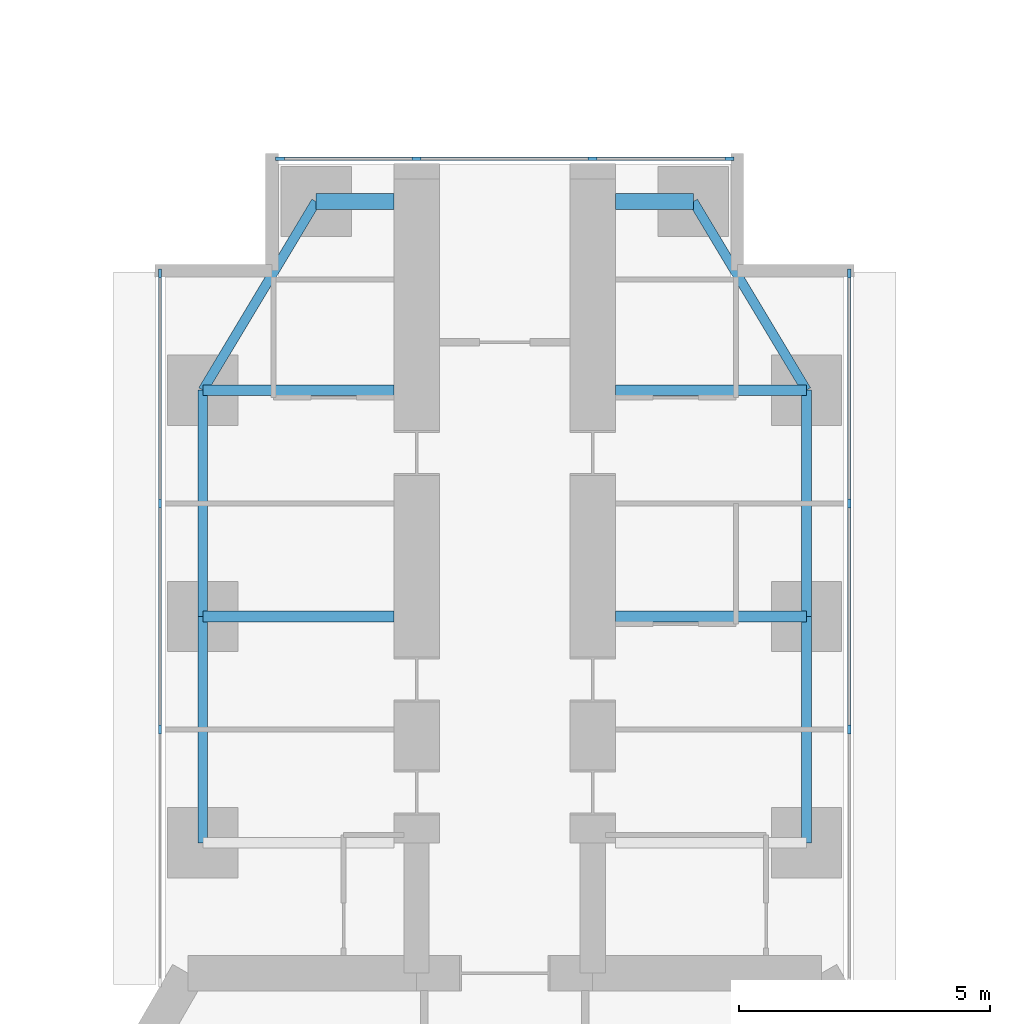
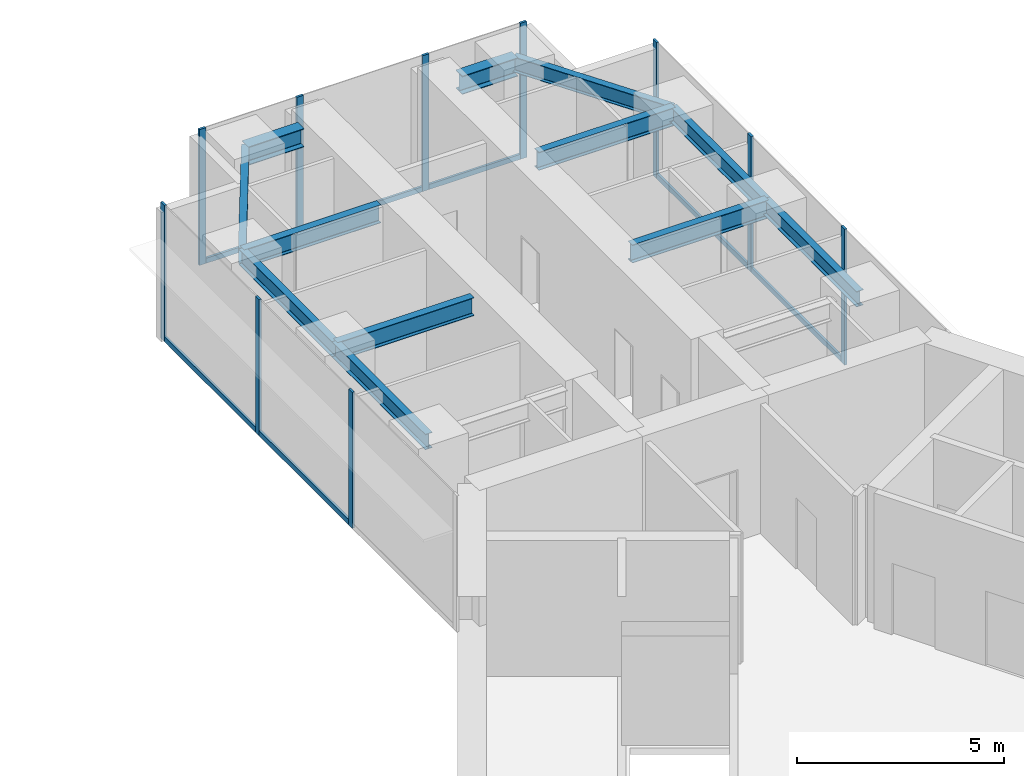
# One storey, part 13 of 25: 17 members, 12 beams, 3 elements without a shape of their own.
"""IFC4 building model written with IfcOpenShell, lengths in metres."""

from ifc_helpers import new_model, si_unit, direction, frame, origin, origin_2d, place, context, subcontext, project, spatial, rectangle, i_section, extrude, material, material_profile, profile_set, type_object, element, aggregate, save


model = new_model("IFC4")

# Units and contexts
model_context = context("Model", 3, precision=1e-05, world=origin(), true_north=direction((0.0, 1.0)))
body_context = subcontext(model_context, "Body", "Model", "MODEL_VIEW")
ifc_project = project(units=[si_unit("LENGTHUNIT", "METRE"), si_unit("AREAUNIT", "SQUARE_METRE"), si_unit("VOLUMEUNIT", "CUBIC_METRE"), si_unit("PLANEANGLEUNIT", "RADIAN"), si_unit("MASSUNIT", "GRAM", prefix="KILO")], contexts=[model_context])

# Site, building, storey
site_placement = place(None, origin())
site = spatial("IfcSite", under=ifc_project, at=site_placement, CompositionType="ELEMENT")
building_placement = place(site_placement, origin())
building = spatial("IfcBuilding", under=site, at=building_placement, Name="Upepo Twin Towers", CompositionType="ELEMENT")
storey_placement = place(building_placement, frame((0.0, 0.0, 80.5)))
storey = spatial("IfcBuildingStorey", under=building, at=storey_placement, Name="L19", CompositionType="ELEMENT", Elevation=80.5)

# Beams
ifc_material_1 = material(Name="Steel S355", Category="steel")
ifc_material_profile_1 = material_profile(ifc_material_1, i_section(OverallWidth=0.1904296875, OverallDepth=0.45703125, WebThickness=0.009033203125, FlangeThickness=0.014404296875, FilletRadius=0.01025390625, at=origin_2d()), Name="UB 457x191x74")
ifc_profile_set_1 = profile_set([ifc_material_profile_1], Name="Steel S355")
beam_type_1 = type_object("IfcBeamType", Name="Beam UB 457x191x74", PredefinedType="BEAM", material=ifc_profile_set_1)
for number, where, z_axis, x_axis, name in (
    (1, (52.5, -4.5, 3.571533203125), (0.0, 1.0, 0.0), (-1.0, 0.0, 0.0), "T2 edge beam AL 13.5-18.0"),
    (2, (52.5, 0.0, 3.571533203125), (0.0, 1.0, 0.0), (-1.0, 0.0, 0.0), "T2 edge beam AL 18.0-22.5"),
):
    element("IfcBeam", number, at=place(storey_placement, frame(where, z_axis=z_axis, x_axis=x_axis)), inside=storey, type_object=beam_type_1, Name=name, PredefinedType="BEAM", context=body_context, shape_type="SweptSolid", body=[
        extrude(i_section(OverallWidth=0.1904296875, OverallDepth=0.45703125, WebThickness=0.009033203125, FlangeThickness=0.014404296875, FilletRadius=0.01025390625, at=origin_2d()), origin(), (0.0, 0.0, 1.0), 4.5),
    ])
beam_1_placement = place(storey_placement, frame((52.5, 4.5, 3.571533203125), z_axis=(0.514495755428, 0.857492925713, 0.0), x_axis=(-0.857492925713, 0.514495755428, 0.0)))
element("IfcBeam", 3, at=beam_1_placement, inside=storey, type_object=beam_type_1, Name="T2 nose edge beam AL", PredefinedType="BEAM", context=body_context, shape_type="SweptSolid", body=[
    extrude(i_section(OverallWidth=0.1904296875, OverallDepth=0.45703125, WebThickness=0.009033203125, FlangeThickness=0.014404296875, FilletRadius=0.01025390625, at=origin_2d()), origin(), (0.0, 0.0, 1.0), 4.373291015625),
])
for number, where, z_axis, x_axis, name in (
    (4, (64.5, -4.5, 3.571533203125), (0.0, 1.0, 0.0), (-1.0, 0.0, 0.0), "T2 edge beam AR 13.5-18.0"),
    (5, (64.5, 0.0, 3.571533203125), (0.0, 1.0, 0.0), (-1.0, 0.0, 0.0), "T2 edge beam AR 18.0-22.5"),
):
    element("IfcBeam", number, at=place(storey_placement, frame(where, z_axis=z_axis, x_axis=x_axis)), inside=storey, type_object=beam_type_1, Name=name, PredefinedType="BEAM", context=body_context, shape_type="SweptSolid", body=[
        extrude(i_section(OverallWidth=0.1904296875, OverallDepth=0.45703125, WebThickness=0.009033203125, FlangeThickness=0.014404296875, FilletRadius=0.01025390625, at=origin_2d()), origin(), (0.0, 0.0, 1.0), 4.5),
    ])
beam_2_placement = place(storey_placement, frame((64.5, 4.5, 3.571533203125), z_axis=(-0.514495755428, 0.857492925713, 0.0), x_axis=(-0.857492925713, -0.514495755428, 0.0)))
element("IfcBeam", 6, at=beam_2_placement, inside=storey, type_object=beam_type_1, Name="T2 nose edge beam AR", PredefinedType="BEAM", context=body_context, shape_type="SweptSolid", body=[
    extrude(i_section(OverallWidth=0.1904296875, OverallDepth=0.45703125, WebThickness=0.009033203125, FlangeThickness=0.014404296875, FilletRadius=0.01025390625, at=origin_2d()), origin(), (0.0, 0.0, 1.0), 4.373291015625),
])
ifc_material_2 = material(Name="Steel S355", Category="steel")
ifc_material_profile_2 = material_profile(ifc_material_2, i_section(OverallWidth=0.209228515625, OverallDepth=0.533203125, WebThickness=0.010009765625, FlangeThickness=0.015625, FilletRadius=0.0126953125, at=origin_2d()), Name="UB 533x210x92")
ifc_profile_set_2 = profile_set([ifc_material_profile_2], Name="Steel S355")
beam_type_2 = type_object("IfcBeamType", Name="Beam UB 533x210x92", PredefinedType="BEAM", material=ifc_profile_set_2)
for number, where, z_axis, x_axis, name in (
    (7, (52.5, 0.0, 3.533447265625), (1.0, 0.0, 0.0), (0.0, 1.0, 0.0), "T2 girder AL at 18.0"),
    (8, (52.5, 4.5, 3.533447265625), (1.0, 0.0, 0.0), (0.0, 1.0, 0.0), "T2 girder AL at 22.5"),
    (9, (64.5, 0.0, 3.533447265625), (-1.0, 0.0, 0.0), (0.0, -1.0, 0.0), "T2 girder AR at 18.0"),
    (10, (64.5, 4.5, 3.533447265625), (-1.0, 0.0, 0.0), (0.0, -1.0, 0.0), "T2 girder AR at 22.5"),
):
    element("IfcBeam", number, at=place(storey_placement, frame(where, z_axis=z_axis, x_axis=x_axis)), inside=storey, type_object=beam_type_2, Name=name, PredefinedType="BEAM", context=body_context, shape_type="SweptSolid", body=[
        extrude(i_section(OverallWidth=0.209228515625, OverallDepth=0.533203125, WebThickness=0.010009765625, FlangeThickness=0.015625, FilletRadius=0.0126953125, at=origin_2d()), origin(), (0.0, 0.0, 1.0), 3.800048828125),
    ])
ifc_material_3 = material(Name="Steel S355", Category="steel")
ifc_material_profile_3 = material_profile(ifc_material_3, i_section(OverallWidth=0.31201171875, OverallDepth=0.54345703125, WebThickness=0.0126953125, FlangeThickness=0.020263671875, FilletRadius=0.0126953125, at=origin_2d()), Name="UB 533x312x150")
ifc_profile_set_3 = profile_set([ifc_material_profile_3], Name="Steel S355")
beam_type_3 = type_object("IfcBeamType", Name="Beam UB 533x312x150", PredefinedType="BEAM", material=ifc_profile_set_3)
for number, where, z_axis, x_axis, name in (
    (11, (54.75, 8.25, 3.5283203125), (1.0, 0.0, 0.0), (0.0, 1.0, 0.0), "T2 nose beam AL"),
    (12, (62.25, 8.25, 3.5283203125), (-1.0, 0.0, 0.0), (0.0, -1.0, 0.0), "T2 nose beam AR"),
):
    element("IfcBeam", number, at=place(storey_placement, frame(where, z_axis=z_axis, x_axis=x_axis)), inside=storey, type_object=beam_type_3, Name=name, PredefinedType="BEAM", context=body_context, shape_type="SweptSolid", body=[
        extrude(i_section(OverallWidth=0.31201171875, OverallDepth=0.54345703125, WebThickness=0.0126953125, FlangeThickness=0.020263671875, FilletRadius=0.0126953125, at=origin_2d()), origin(), (0.0, 0.0, 1.0), 1.550048828125),
    ])

# Curtain wall, members
ifc_material_4 = material(Name="Aluminium and fritted glass", Category="aluminium")
curtain_wall_type = type_object("IfcCurtainWallType", Name="Tower curtain wall TW1, fritted glass", PredefinedType="NOTDEFINED", material=ifc_material_4)
curtain_wall_1_placement = place(storey_placement, origin())
curtain_wall_1 = element("IfcCurtainWall", 13, at=curtain_wall_1_placement, inside=storey, type_object=curtain_wall_type, Name="T2 L19 wing A flank L curtain wall", PredefinedType="NOTDEFINED")
ifc_material_5 = material(Name="Aluminium mullion", Category="aluminium")
ifc_material_profile_4 = material_profile(ifc_material_5, rectangle(XDim=0.06494140625, YDim=0.179931640625, at=origin_2d()), Name="MULLION 65x180")
ifc_profile_set_4 = profile_set([ifc_material_profile_4], Name="Aluminium mullion")
member_type_1 = type_object("IfcMemberType", Name="Mullion 65x180 TW1", PredefinedType="MULLION", material=ifc_profile_set_4)
member_1_placement = place(storey_placement, frame((51.64990234375, -2.25, 0.0), z_axis=(0.0, 0.0, 1.0), x_axis=(-1.0, 0.0, 0.0)))
member_1 = element("IfcMember", 14, at=member_1_placement, type_object=member_type_1, Name="T2 L19 wing A flank L curtain wall mullion 2", PredefinedType="MULLION", context=body_context, shape_type="SweptSolid", body=[
    extrude(rectangle(XDim=0.06494140625, YDim=0.179931640625, at=origin_2d()), origin(), (0.0, 0.0, 1.0), 4.0),
])
member_2_placement = place(storey_placement, frame((51.64990234375, 2.25, 0.0), z_axis=(0.0, 0.0, 1.0), x_axis=(-1.0, 0.0, 0.0)))
member_2 = element("IfcMember", 15, at=member_2_placement, type_object=member_type_1, Name="T2 L19 wing A flank L curtain wall mullion 3", PredefinedType="MULLION", context=body_context, shape_type="SweptSolid", body=[
    extrude(rectangle(XDim=0.06494140625, YDim=0.179931640625, at=origin_2d()), origin(), (0.0, 0.0, 1.0), 4.0),
])
member_3_placement = place(storey_placement, frame((51.64990234375, 6.8173828125, 0.0), z_axis=(0.0, 0.0, 1.0), x_axis=(-1.0, 0.0, 0.0)))
member_3 = element("IfcMember", 16, at=member_3_placement, type_object=member_type_1, Name="T2 L19 wing A flank L curtain wall mullion 4", PredefinedType="MULLION", context=body_context, shape_type="SweptSolid", body=[
    extrude(rectangle(XDim=0.06494140625, YDim=0.179931640625, at=origin_2d()), origin(), (0.0, 0.0, 1.0), 4.0),
])

curtain_wall_2_placement = place(storey_placement, origin())
curtain_wall_2 = element("IfcCurtainWall", 17, at=curtain_wall_2_placement, inside=storey, type_object=curtain_wall_type, Name="T2 L19 wing A flank R curtain wall", PredefinedType="NOTDEFINED")
member_4_placement = place(storey_placement, frame((65.35009765625, 6.8173828125, 0.0), z_axis=(0.0, 0.0, 1.0), x_axis=(1.0, 0.0, 0.0)))
member_4 = element("IfcMember", 18, at=member_4_placement, type_object=member_type_1, Name="T2 L19 wing A flank R curtain wall mullion 1", PredefinedType="MULLION", context=body_context, shape_type="SweptSolid", body=[
    extrude(rectangle(XDim=0.06494140625, YDim=0.179931640625, at=origin_2d()), origin(), (0.0, 0.0, 1.0), 4.0),
])
member_5_placement = place(storey_placement, frame((65.35009765625, 2.25, 0.0), z_axis=(0.0, 0.0, 1.0), x_axis=(1.0, 0.0, 0.0)))
member_5 = element("IfcMember", 19, at=member_5_placement, type_object=member_type_1, Name="T2 L19 wing A flank R curtain wall mullion 2", PredefinedType="MULLION", context=body_context, shape_type="SweptSolid", body=[
    extrude(rectangle(XDim=0.06494140625, YDim=0.179931640625, at=origin_2d()), origin(), (0.0, 0.0, 1.0), 4.0),
])
member_6_placement = place(storey_placement, frame((65.35009765625, -2.25, 0.0), z_axis=(0.0, 0.0, 1.0), x_axis=(1.0, 0.0, 0.0)))
member_6 = element("IfcMember", 20, at=member_6_placement, type_object=member_type_1, Name="T2 L19 wing A flank R curtain wall mullion 3", PredefinedType="MULLION", context=body_context, shape_type="SweptSolid", body=[
    extrude(rectangle(XDim=0.06494140625, YDim=0.179931640625, at=origin_2d()), origin(), (0.0, 0.0, 1.0), 4.0),
])

curtain_wall_3_placement = place(storey_placement, origin())
curtain_wall_3 = element("IfcCurtainWall", 21, at=curtain_wall_3_placement, inside=storey, type_object=curtain_wall_type, Name="T2 L19 wing A nose curtain wall", PredefinedType="NOTDEFINED")
member_7_placement = place(storey_placement, frame((62.967529296875, 9.10009765625, 0.0), z_axis=(0.0, 0.0, 1.0), x_axis=(0.0, -1.0, 0.0)))
member_7 = element("IfcMember", 22, at=member_7_placement, type_object=member_type_1, Name="T2 L19 wing A nose curtain wall mullion 1", PredefinedType="MULLION", context=body_context, shape_type="SweptSolid", body=[
    extrude(rectangle(XDim=0.06494140625, YDim=0.179931640625, at=origin_2d()), origin(), (0.0, 0.0, 1.0), 4.0),
])
member_8_placement = place(storey_placement, frame((60.25, 9.10009765625, 0.0), z_axis=(0.0, 0.0, 1.0), x_axis=(0.0, -1.0, 0.0)))
member_8 = element("IfcMember", 23, at=member_8_placement, type_object=member_type_1, Name="T2 L19 wing A nose curtain wall mullion 2", PredefinedType="MULLION", context=body_context, shape_type="SweptSolid", body=[
    extrude(rectangle(XDim=0.06494140625, YDim=0.179931640625, at=origin_2d()), origin(), (0.0, 0.0, 1.0), 4.0),
])
member_9_placement = place(storey_placement, frame((56.75, 9.10009765625, 0.0), z_axis=(0.0, 0.0, 1.0), x_axis=(0.0, -1.0, 0.0)))
member_9 = element("IfcMember", 24, at=member_9_placement, type_object=member_type_1, Name="T2 L19 wing A nose curtain wall mullion 3", PredefinedType="MULLION", context=body_context, shape_type="SweptSolid", body=[
    extrude(rectangle(XDim=0.06494140625, YDim=0.179931640625, at=origin_2d()), origin(), (0.0, 0.0, 1.0), 4.0),
])
member_10_placement = place(storey_placement, frame((54.032470703125, 9.10009765625, 0.0), z_axis=(0.0, 0.0, 1.0), x_axis=(0.0, -1.0, 0.0)))
member_10 = element("IfcMember", 25, at=member_10_placement, type_object=member_type_1, Name="T2 L19 wing A nose curtain wall mullion 4", PredefinedType="MULLION", context=body_context, shape_type="SweptSolid", body=[
    extrude(rectangle(XDim=0.06494140625, YDim=0.179931640625, at=origin_2d()), origin(), (0.0, 0.0, 1.0), 4.0),
])

# Member
ifc_material_6 = material(Name="Aluminium transom", Category="aluminium")
ifc_material_profile_5 = material_profile(ifc_material_6, rectangle(XDim=0.06494140625, YDim=0.14990234375, at=origin_2d()), Name="TRANSOM 65x150")
ifc_profile_set_5 = profile_set([ifc_material_profile_5], Name="Aluminium transom")
member_type_2 = type_object("IfcMemberType", Name="Transom 65x150 TW1", PredefinedType="USERDEFINED", material=ifc_profile_set_5)
member_11_placement = place(storey_placement, frame((51.64990234375, -2.217529296875, 0.074951171875), z_axis=(0.0, 1.0, 0.0), x_axis=(-1.0, 0.0, 0.0)))
member_11 = element("IfcMember", 26, at=member_11_placement, type_object=member_type_2, Name="T2 L19 wing A flank L curtain wall transom 2", ObjectType="TRANSOM", PredefinedType="USERDEFINED", context=body_context, shape_type="SweptSolid", body=[
    extrude(rectangle(XDim=0.06494140625, YDim=0.14990234375, at=origin_2d()), origin(), (0.0, 0.0, 1.0), 4.43505859375),
])

member_12_placement = place(storey_placement, frame((51.64990234375, 2.282470703125, 0.074951171875), z_axis=(0.0, 1.0, 0.0), x_axis=(-1.0, 0.0, 0.0)))
member_12 = element("IfcMember", 27, at=member_12_placement, type_object=member_type_2, Name="T2 L19 wing A flank L curtain wall transom 3", ObjectType="TRANSOM", PredefinedType="USERDEFINED", context=body_context, shape_type="SweptSolid", body=[
    extrude(rectangle(XDim=0.06494140625, YDim=0.14990234375, at=origin_2d()), origin(), (0.0, 0.0, 1.0), 4.50244140625),
])

aggregate(curtain_wall_1, [member_1, member_2, member_3, member_11, member_12])

member_13_placement = place(storey_placement, frame((65.35009765625, 6.784912109375, 0.074951171875), z_axis=(0.0, -1.0, 0.0), x_axis=(1.0, 0.0, 0.0)))
member_13 = element("IfcMember", 28, at=member_13_placement, type_object=member_type_2, Name="T2 L19 wing A flank R curtain wall transom 1", ObjectType="TRANSOM", PredefinedType="USERDEFINED", context=body_context, shape_type="SweptSolid", body=[
    extrude(rectangle(XDim=0.06494140625, YDim=0.14990234375, at=origin_2d()), origin(), (0.0, 0.0, 1.0), 4.50244140625),
])

member_14_placement = place(storey_placement, frame((65.35009765625, 2.217529296875, 0.074951171875), z_axis=(0.0, -1.0, 0.0), x_axis=(1.0, 0.0, 0.0)))
member_14 = element("IfcMember", 29, at=member_14_placement, type_object=member_type_2, Name="T2 L19 wing A flank R curtain wall transom 2", ObjectType="TRANSOM", PredefinedType="USERDEFINED", context=body_context, shape_type="SweptSolid", body=[
    extrude(rectangle(XDim=0.06494140625, YDim=0.14990234375, at=origin_2d()), origin(), (0.0, 0.0, 1.0), 4.43505859375),
])

aggregate(curtain_wall_2, [member_4, member_5, member_6, member_13, member_14])

member_15_placement = place(storey_placement, frame((62.93505859375, 9.10009765625, 0.074951171875), z_axis=(-1.0, 0.0, 0.0), x_axis=(0.0, -1.0, 0.0)))
member_15 = element("IfcMember", 30, at=member_15_placement, type_object=member_type_2, Name="T2 L19 wing A nose curtain wall transom 1", ObjectType="TRANSOM", PredefinedType="USERDEFINED", context=body_context, shape_type="SweptSolid", body=[
    extrude(rectangle(XDim=0.06494140625, YDim=0.14990234375, at=origin_2d()), origin(), (0.0, 0.0, 1.0), 2.652587890625),
])

member_16_placement = place(storey_placement, frame((60.217529296875, 9.10009765625, 0.074951171875), z_axis=(-1.0, 0.0, 0.0), x_axis=(0.0, -1.0, 0.0)))
member_16 = element("IfcMember", 31, at=member_16_placement, type_object=member_type_2, Name="T2 L19 wing A nose curtain wall transom 2", ObjectType="TRANSOM", PredefinedType="USERDEFINED", context=body_context, shape_type="SweptSolid", body=[
    extrude(rectangle(XDim=0.06494140625, YDim=0.14990234375, at=origin_2d()), origin(), (0.0, 0.0, 1.0), 3.43505859375),
])

member_17_placement = place(storey_placement, frame((56.717529296875, 9.10009765625, 0.074951171875), z_axis=(-1.0, 0.0, 0.0), x_axis=(0.0, -1.0, 0.0)))
member_17 = element("IfcMember", 32, at=member_17_placement, type_object=member_type_2, Name="T2 L19 wing A nose curtain wall transom 3", ObjectType="TRANSOM", PredefinedType="USERDEFINED", context=body_context, shape_type="SweptSolid", body=[
    extrude(rectangle(XDim=0.06494140625, YDim=0.14990234375, at=origin_2d()), origin(), (0.0, 0.0, 1.0), 2.652587890625),
])

aggregate(curtain_wall_3, [member_7, member_8, member_9, member_10, member_15, member_16, member_17])

save(model, "model.ifc")
